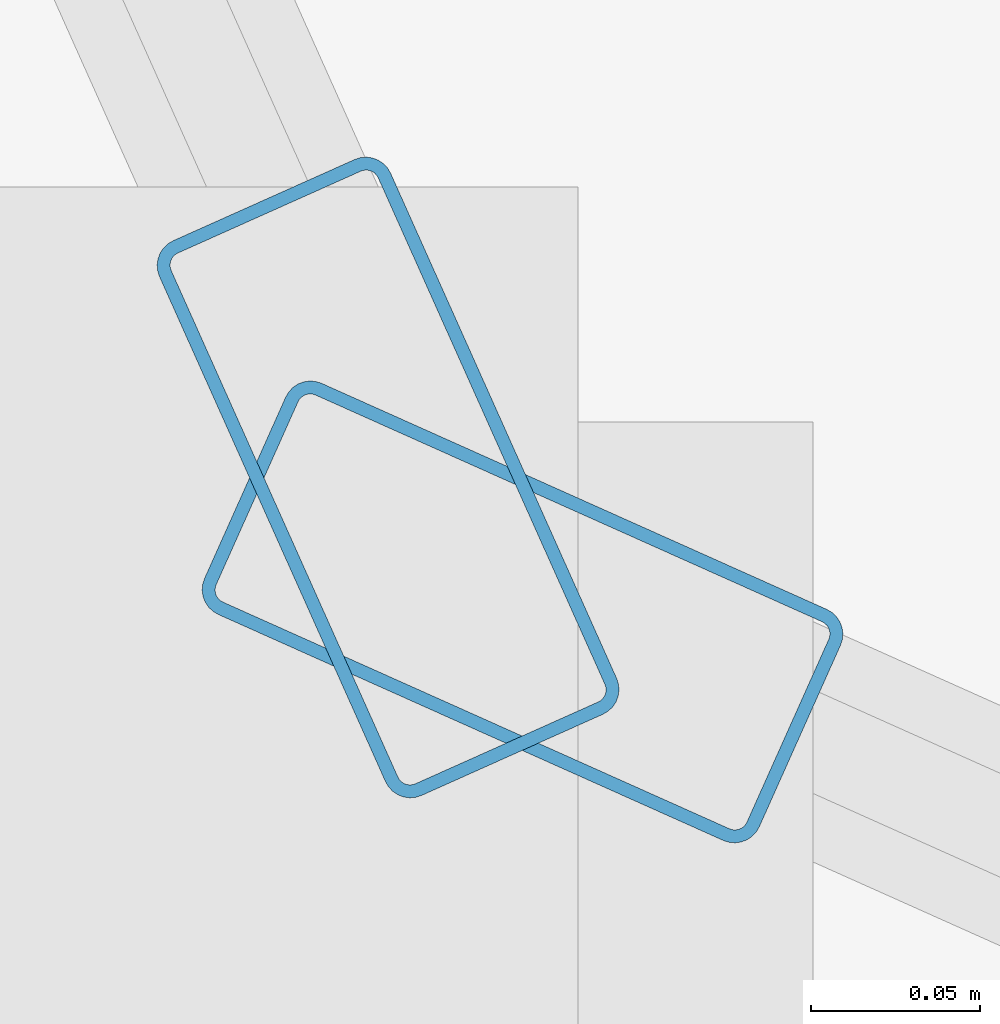
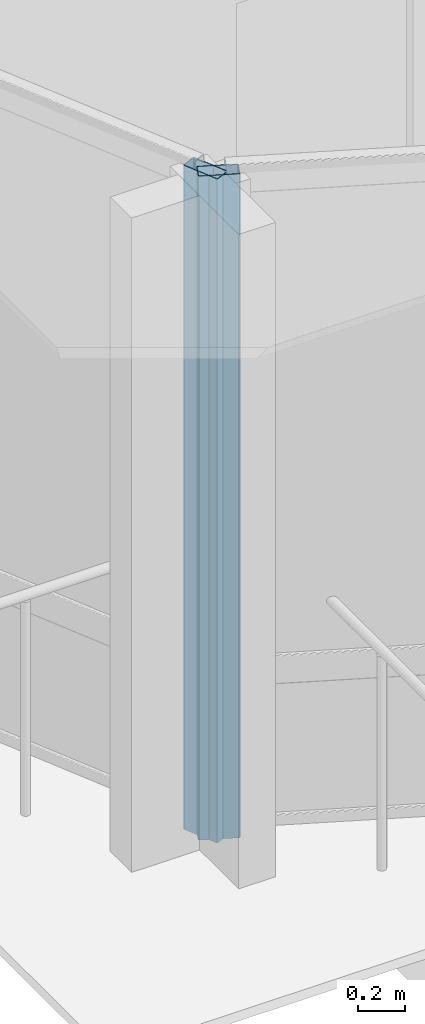
# One storey, part 2 of 19: 2 members, 2 elements without a shape of their own.
"""IFC4 building model written with IfcOpenShell, lengths in metres."""

from ifc_helpers import new_model, si_unit, direction, frame, origin, origin_2d, place, context, subcontext, project, spatial, hollow_rectangle, extrude, material, layer, layer_set, material_profile, profile_set, type_object, element, aggregate, save


model = new_model("IFC4")

# Units and contexts
model_context = context("Model", 3, precision=1e-05, world=origin(), true_north=direction((0.0, 1.0)))
body_context = subcontext(model_context, "Body", "Model", "MODEL_VIEW")
ifc_project = project(units=[si_unit("LENGTHUNIT", "METRE"), si_unit("AREAUNIT", "SQUARE_METRE"), si_unit("VOLUMEUNIT", "CUBIC_METRE"), si_unit("PLANEANGLEUNIT", "RADIAN"), si_unit("MASSUNIT", "GRAM", prefix="KILO")], contexts=[model_context])

# Site, building, storey
site_placement = place(None, origin())
site = spatial("IfcSite", under=ifc_project, at=site_placement, CompositionType="ELEMENT")
building_placement = place(site_placement, origin())
building = spatial("IfcBuilding", under=site, at=building_placement, Name="Solvaryn Broadcast Tower", CompositionType="ELEMENT")
storey_placement = place(building_placement, frame((0.0, 0.0, 240.800048828125)))
storey = spatial("IfcBuildingStorey", under=building, at=storey_placement, Name="L60", CompositionType="ELEMENT", Elevation=240.800048828125)

# Curtain wall, member
ifc_material_1 = material(Name="Aluminium and Terracotta Unitised Curtain Wall", Category="masonry")
ifc_layer = layer(ifc_material_1, 0.199951171875)
ifc_layer_set = layer_set([ifc_layer], Name="CW-SYS2-LOWMID")
curtain_wall_type = type_object("IfcCurtainWallType", Name="CW-SYS2-LOWMID", PredefinedType="NOTDEFINED", material=ifc_layer_set)
curtain_wall_1_placement = place(storey_placement, origin())
curtain_wall_1 = element("IfcCurtainWall", 1, at=curtain_wall_1_placement, inside=storey, type_object=curtain_wall_type, Name="L60 Curtain Wall DR2", PredefinedType="NOTDEFINED")
ifc_material_2 = material(Name="Anodised Aluminium 6063-T6", Category="aluminium")
ifc_material_profile = material_profile(ifc_material_2, hollow_rectangle(XDim=0.074951171875, YDim=0.179931640625, WallThickness=0.00390625, InnerFilletRadius=0.00390625, OuterFilletRadius=0.008056640625, at=origin_2d()))
ifc_profile_set = profile_set([ifc_material_profile], Name="Anodised Aluminium 6063-T6")
member_type = type_object("IfcMemberType", Name="CW-MUL-180", PredefinedType="MULLION", material=ifc_profile_set)
member_1_placement = place(storey_placement, frame((10.8046875, 10.844482421875, 0.0), z_axis=(0.0, 0.0, 1.0), x_axis=(0.912773530574, 0.408466010682, 0.0)))
member_1 = element("IfcMember", 2, at=member_1_placement, type_object=member_type, Name="CWS2 mullion 2", PredefinedType="MULLION", context=body_context, shape_type="SweptSolid", body=[
    extrude(hollow_rectangle(XDim=0.074951171875, YDim=0.179931640625, WallThickness=0.00390625, InnerFilletRadius=0.00390625, OuterFilletRadius=0.008056640625, at=origin_2d()), origin(), (0.0, 0.0, 1.0), 3.419921875),
])
aggregate(curtain_wall_1, [member_1])

curtain_wall_2_placement = place(storey_placement, origin())
curtain_wall_2 = element("IfcCurtainWall", 3, at=curtain_wall_2_placement, inside=storey, type_object=curtain_wall_type, Name="L60 Curtain Wall DR3", PredefinedType="NOTDEFINED")
member_2_placement = place(storey_placement, frame((10.844482421875, 10.8046875, 0.0), z_axis=(0.0, 0.0, 1.0), x_axis=(0.408466010682, 0.912773530574, 0.0)))
member_2 = element("IfcMember", 4, at=member_2_placement, type_object=member_type, Name="CWS2 mullion 1", PredefinedType="MULLION", context=body_context, shape_type="SweptSolid", body=[
    extrude(hollow_rectangle(XDim=0.074951171875, YDim=0.179931640625, WallThickness=0.00390625, InnerFilletRadius=0.00390625, OuterFilletRadius=0.008056640625, at=origin_2d()), origin(), (0.0, 0.0, 1.0), 3.419921875),
])
aggregate(curtain_wall_2, [member_2])

save(model, "model.ifc")
